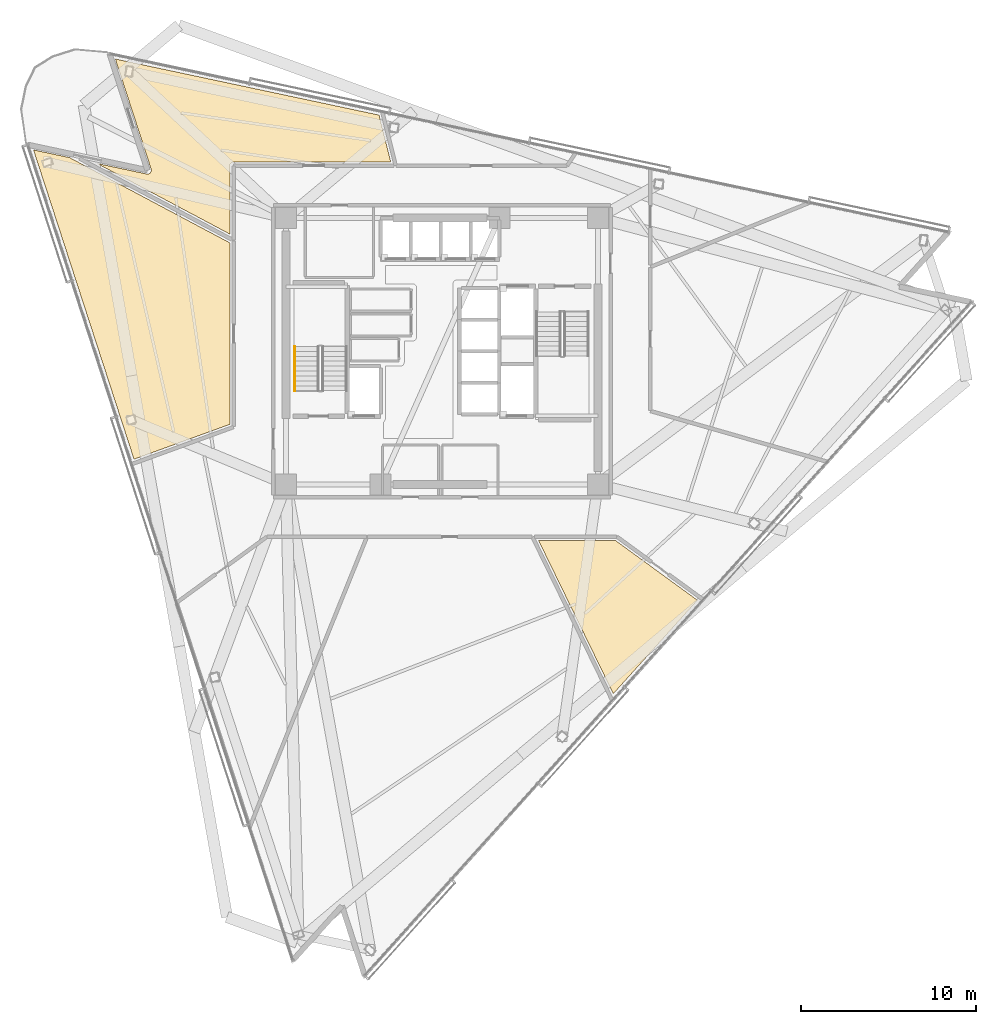
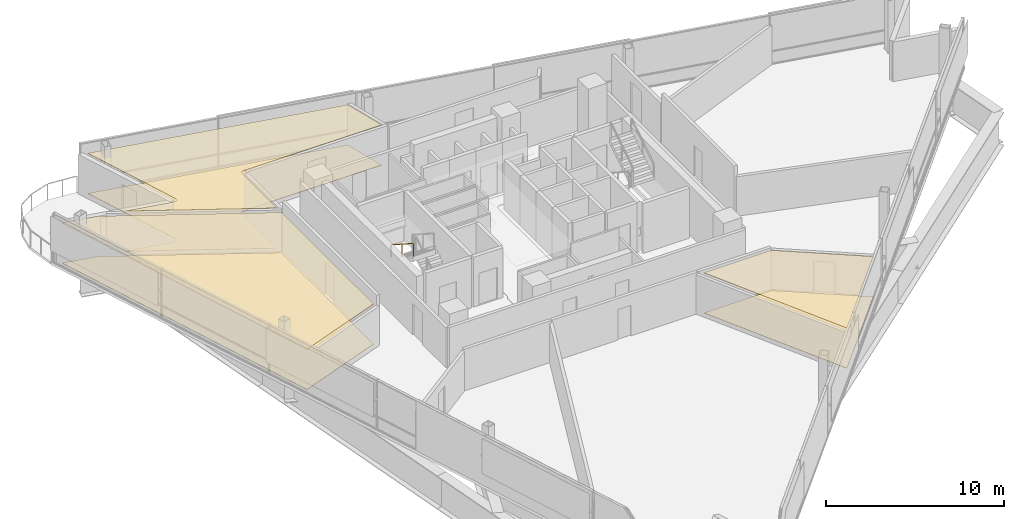
# One storey, part 15 of 17: 6 coverings, 1 railing.
"""IFC4 building model written with IfcOpenShell, lengths in metres."""

from ifc_helpers import new_model, si_unit, direction, frame, origin, origin_2d, place, context, subcontext, project, spatial, polyline, rectangle, outline, extrude, material, layer, layer_set, type_object, element, save


model = new_model("IFC4")

# Units and contexts
model_context = context("Model", 3, precision=1e-05, world=origin(), true_north=direction((0.0, 1.0)))
body_context = subcontext(model_context, "Body", "Model", "MODEL_VIEW")
ifc_project = project(units=[si_unit("LENGTHUNIT", "METRE"), si_unit("AREAUNIT", "SQUARE_METRE"), si_unit("VOLUMEUNIT", "CUBIC_METRE"), si_unit("PLANEANGLEUNIT", "RADIAN"), si_unit("MASSUNIT", "GRAM", prefix="KILO")], contexts=[model_context])

# Site, building, storey
site_placement = place(None, origin())
site = spatial("IfcSite", under=ifc_project, at=site_placement, CompositionType="ELEMENT")
building_placement = place(site_placement, origin())
building = spatial("IfcBuilding", under=site, at=building_placement, Name="Tharavind Bronze Gate", CompositionType="ELEMENT")
storey_placement = place(building_placement, frame((0.0, 0.0, 196.85009765625)))
storey = spatial("IfcBuildingStorey", under=building, at=storey_placement, Name="L50", CompositionType="ELEMENT", Elevation=196.85009765625)

# Coverings
ifc_material_1 = material(Name="Perforated Bronze Acoustic Panel", Category="bronze")
ifc_layer_1 = layer(ifc_material_1, 0.044921875)
ifc_layer_set_1 = layer_set([ifc_layer_1], Name="Perforated Bronze Acoustic Panel")
covering_type_1 = type_object("IfcCoveringType", Name="ACOUSTIC BRONZE BAFFLE CEILING", PredefinedType="CEILING", material=ifc_layer_set_1)
covering_1_placement = place(storey_placement, frame((0.0, 0.0, 2.75)))
element("IfcCovering", 1, at=covering_1_placement, inside=storey, type_object=covering_type_1, Name="L50-RM-03 suspended ceiling", PredefinedType="CEILING", context=body_context, shape_type="SweptSolid", body=[
    extrude(outline(polyline([(-12.10009765625, 6.682861328125), (-12.10009765625, 10.579345703125), (-12.099609375, 10.590087890625), (-12.099609375, 10.5908203125), (-12.09765625, 10.6123046875), (-12.093505859375, 10.63330078125), (-12.087158203125, 10.654052734375), (-12.078857421875, 10.674072265625), (-12.068603515625, 10.693115234375), (-12.056640625, 10.7109375), (-12.04296875, 10.727783203125), (-12.027587890625, 10.742919921875), (-12.010986328125, 10.756591796875), (-11.9931640625, 10.768798828125), (-11.97412109375, 10.77880859375), (-11.9541015625, 10.787109375), (-11.933349609375, 10.79345703125), (-11.912353515625, 10.797607421875), (-11.890869140625, 10.7998046875), (-11.89013671875, 10.7998046875), (-11.87939453125, 10.800048828125), (-2.91943359375, 10.800048828125), (-3.58642578125, 13.47509765625), (-18.6328125, 16.673095703125), (-16.59375, 10.39794921875), (-16.590576171875, 10.387451171875), (-16.59033203125, 10.38671875), (-16.585693359375, 10.365478515625), (-16.583251953125, 10.343505859375), (-16.5830078125, 10.32177734375), (-16.584716796875, 10.2998046875), (-16.5888671875, 10.2783203125), (-16.594970703125, 10.257080078125), (-16.60302734375, 10.23681640625), (-16.61328125, 10.21728515625), (-16.62548828125, 10.19921875), (-16.63916015625, 10.18212890625), (-16.65478515625, 10.16650390625), (-16.671630859375, 10.152587890625), (-16.68994140625, 10.140380859375), (-16.709228515625, 10.130126953125), (-16.7294921875, 10.121826171875), (-16.75048828125, 10.115478515625), (-16.772216796875, 10.111572265625), (-16.7939453125, 10.109619140625), (-16.81591796875, 10.109619140625), (-16.837646484375, 10.112060546875), (-16.83837890625, 10.1123046875), (-16.84912109375, 10.1142578125), (-19.688720703125, 10.7177734375), (-12.10009765625, 6.682861328125)])), origin(), (0.0, 0.0, 1.0), 0.034912109375),
])
covering_2_placement = place(storey_placement, frame((0.0, 0.0, 2.75)))
element("IfcCovering", 2, at=covering_2_placement, inside=storey, type_object=covering_type_1, Name="L50-RM-07 suspended ceiling", PredefinedType="CEILING", context=body_context, shape_type="SweptSolid", body=[
    extrude(outline(polyline([(9.7763671875, -19.542724609375), (14.578857421875, -14.208984375), (9.906494140625, -10.800048828125), (5.51220703125, -10.800048828125), (9.7763671875, -19.542724609375)])), origin(), (0.0, 0.0, 1.0), 0.034912109375),
])
ifc_material_2 = material(Name="Engineered Oak & Carpet Tile", Category="wood")
ifc_layer_2 = layer(ifc_material_2, 0.02490234375)
ifc_layer_set_2 = layer_set([ifc_layer_2], Name="Engineered Oak & Carpet Tile")
covering_type_2 = type_object("IfcCoveringType", Name="ENGINEERED TIMBER FLOORING", PredefinedType="FLOORING", material=ifc_layer_set_2)
covering_3_placement = place(storey_placement, origin())
element("IfcCovering", 3, at=covering_3_placement, inside=storey, type_object=covering_type_2, Name="L50-RM-03 floor finish", PredefinedType="FLOORING", context=body_context, shape_type="SweptSolid", body=[
    extrude(outline(polyline([(-12.10009765625, 6.682861328125), (-12.10009765625, 10.579345703125), (-12.099609375, 10.590087890625), (-12.099609375, 10.5908203125), (-12.09765625, 10.6123046875), (-12.093505859375, 10.63330078125), (-12.087158203125, 10.654052734375), (-12.078857421875, 10.674072265625), (-12.068603515625, 10.693115234375), (-12.056640625, 10.7109375), (-12.04296875, 10.727783203125), (-12.027587890625, 10.742919921875), (-12.010986328125, 10.756591796875), (-11.9931640625, 10.768798828125), (-11.97412109375, 10.77880859375), (-11.9541015625, 10.787109375), (-11.933349609375, 10.79345703125), (-11.912353515625, 10.797607421875), (-11.890869140625, 10.7998046875), (-11.89013671875, 10.7998046875), (-11.87939453125, 10.800048828125), (-2.91943359375, 10.800048828125), (-3.58642578125, 13.47509765625), (-18.6328125, 16.673095703125), (-16.59375, 10.39794921875), (-16.590576171875, 10.387451171875), (-16.59033203125, 10.38671875), (-16.585693359375, 10.365478515625), (-16.583251953125, 10.343505859375), (-16.5830078125, 10.32177734375), (-16.584716796875, 10.2998046875), (-16.5888671875, 10.2783203125), (-16.594970703125, 10.257080078125), (-16.60302734375, 10.23681640625), (-16.61328125, 10.21728515625), (-16.62548828125, 10.19921875), (-16.63916015625, 10.18212890625), (-16.65478515625, 10.16650390625), (-16.671630859375, 10.152587890625), (-16.68994140625, 10.140380859375), (-16.709228515625, 10.130126953125), (-16.7294921875, 10.121826171875), (-16.75048828125, 10.115478515625), (-16.772216796875, 10.111572265625), (-16.7939453125, 10.109619140625), (-16.81591796875, 10.109619140625), (-16.837646484375, 10.112060546875), (-16.83837890625, 10.1123046875), (-16.84912109375, 10.1142578125), (-19.688720703125, 10.7177734375), (-12.10009765625, 6.682861328125)])), origin(), (0.0, 0.0, 1.0), 0.02490234375),
])
covering_4_placement = place(storey_placement, origin())
element("IfcCovering", 4, at=covering_4_placement, inside=storey, type_object=covering_type_2, Name="L50-RM-04 floor finish", PredefinedType="FLOORING", context=body_context, shape_type="SweptSolid", body=[
    extrude(outline(polyline([(-17.569580078125, -6.16064453125), (-12.10009765625, -4.169921875), (-12.10009765625, 6.1845703125), (-21.25, 11.0498046875), (-23.30322265625, 11.486083984375), (-17.569580078125, -6.16064453125)])), origin(), (0.0, 0.0, 1.0), 0.02490234375),
])
ifc_material_3 = material(Name="Acoustic Gypsum Board", Category="gypsum")
ifc_layer_3 = layer(ifc_material_3, 0.030029296875)
ifc_layer_set_3 = layer_set([ifc_layer_3], Name="Acoustic Gypsum Board")
covering_type_3 = type_object("IfcCoveringType", Name="GYPSUM SUSPENDED CEILING", PredefinedType="CEILING", material=ifc_layer_set_3)
covering_5_placement = place(storey_placement, frame((0.0, 0.0, 2.75)))
element("IfcCovering", 5, at=covering_5_placement, inside=storey, type_object=covering_type_3, Name="L50-RM-04 suspended ceiling", PredefinedType="CEILING", context=body_context, shape_type="SweptSolid", body=[
    extrude(outline(polyline([(-17.569580078125, -6.16064453125), (-12.10009765625, -4.169921875), (-12.10009765625, 6.1845703125), (-21.25, 11.0498046875), (-23.30322265625, 11.486083984375), (-17.569580078125, -6.16064453125)])), origin(), (0.0, 0.0, 1.0), 0.034912109375),
])
ifc_material_4 = material(Name="Honed Travertine Limestone", Category="masonry")
ifc_layer_4 = layer(ifc_material_4, 0.030029296875)
ifc_layer_set_4 = layer_set([ifc_layer_4], Name="Honed Travertine Limestone")
covering_type_4 = type_object("IfcCoveringType", Name="HONED LIMESTONE FLOORING", PredefinedType="FLOORING", material=ifc_layer_set_4)
covering_6_placement = place(storey_placement, origin())
element("IfcCovering", 6, at=covering_6_placement, inside=storey, type_object=covering_type_4, Name="L50-RM-07 floor finish", PredefinedType="FLOORING", context=body_context, shape_type="SweptSolid", body=[
    extrude(outline(polyline([(9.7763671875, -19.542724609375), (14.578857421875, -14.208984375), (9.906494140625, -10.800048828125), (5.51220703125, -10.800048828125), (9.7763671875, -19.542724609375)])), origin(), (0.0, 0.0, 1.0), 0.02490234375),
])

# Railing
ifc_material_5 = material(Name="Brushed Bronze Alloy", Category="metal")
railing_type = type_object("IfcRailingType", Name="STAIR BRONZE HANDRAIL 900", PredefinedType="HANDRAIL", material=ifc_material_5)
railing_placement = place(storey_placement, frame((-8.39990234375, 0.27001953125, 1.97998046875)))
element("IfcRailing", 7, at=railing_placement, inside=storey, type_object=railing_type, Name="L50 ST1 stair handrail 2", PredefinedType="HANDRAIL", context=body_context, shape_type="SweptSolid", body=[
    extrude(rectangle(XDim=0.048095703125, YDim=0.048095703125, at=origin_2d()), frame((0.0, -0.02685546875, 0.89306640625), z_axis=(0.0, -0.841199657755, 0.540724639528), x_axis=(1.0, 0.0, 0.0)), (0.0, 0.0, 1.0), 2.931640625),
    extrude(rectangle(XDim=0.0400390625, YDim=0.0400390625, at=origin_2d()), origin(), (0.0, 0.0, 1.0), 0.847900390625),
    extrude(rectangle(XDim=0.0400390625, YDim=0.0400390625, at=origin_2d()), frame((0.0, -1.260009765625, 0.81005859375)), (0.0, 0.0, 1.0), 0.847900390625),
    extrude(rectangle(XDim=0.0400390625, YDim=0.0400390625, at=origin_2d()), frame((0.0, -2.52001953125, 1.619873046875)), (0.0, 0.0, 1.0), 0.847900390625),
])

save(model, "model.ifc")
